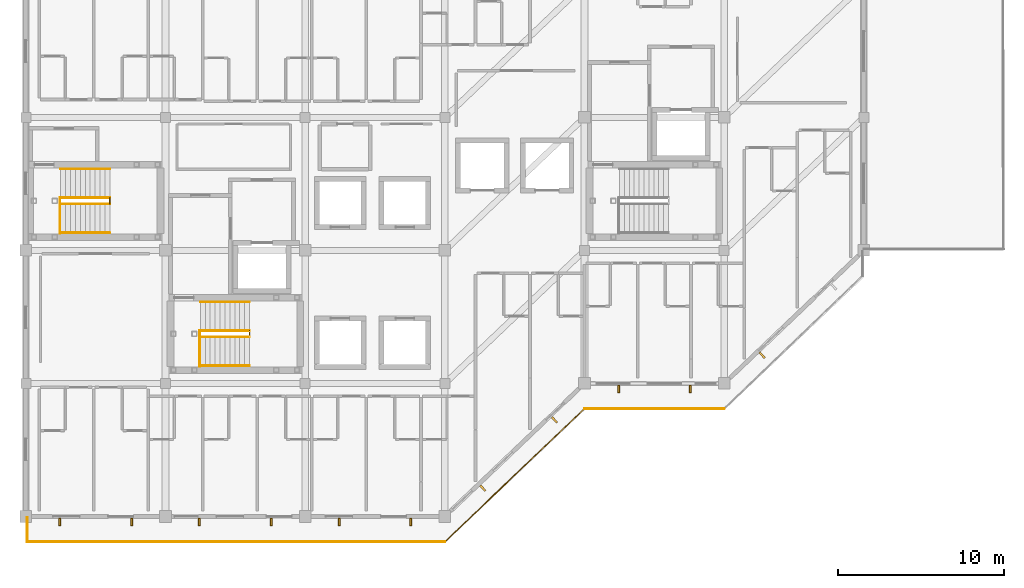
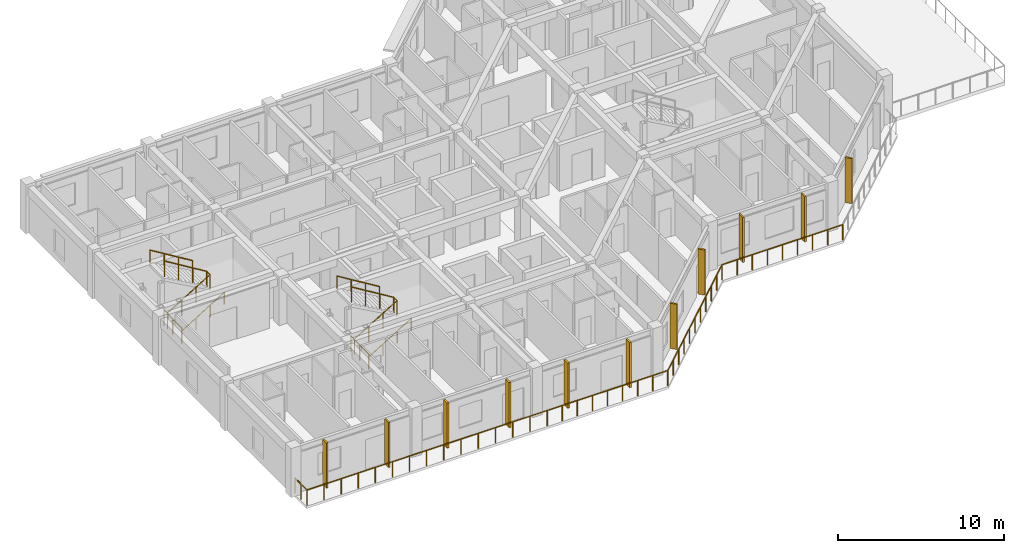
# One storey, part 13 of 15: 18 railings, 11 shading devices.
"""IFC4 building model written with IfcOpenShell, lengths in metres."""

from ifc_helpers import new_model, si_unit, direction, frame, origin, origin_2d, place, context, subcontext, project, spatial, rectangle, circle, extrude, material, layer, layer_set, type_object, element, save


model = new_model("IFC4")

# Units and contexts
model_context = context("Model", 3, precision=1e-05, world=origin(), true_north=direction((0.0, 1.0)))
body_context = subcontext(model_context, "Body", "Model", "MODEL_VIEW")
ifc_project = project(units=[si_unit("LENGTHUNIT", "METRE"), si_unit("AREAUNIT", "SQUARE_METRE"), si_unit("VOLUMEUNIT", "CUBIC_METRE"), si_unit("PLANEANGLEUNIT", "RADIAN"), si_unit("MASSUNIT", "GRAM", prefix="KILO")], contexts=[model_context])

# Site, building, storey
site_placement = place(None, origin())
site = spatial("IfcSite", under=ifc_project, at=site_placement, CompositionType="ELEMENT")
building_placement = place(site_placement, origin())
building = spatial("IfcBuilding", under=site, at=building_placement, Name="Naruveol Harbour Congress Hotel", CompositionType="ELEMENT")
storey_placement = place(building_placement, frame((0.0, 0.0, 36.0)))
storey = spatial("IfcBuildingStorey", under=building, at=storey_placement, Name="L08", CompositionType="ELEMENT", Elevation=36.0)

# Railings
ifc_material_1 = material(Name="Tempered Laminated Safety Glass & Stainless Steel", Category="steel")
ifc_layer_1 = layer(ifc_material_1, 0.06005859375)
ifc_layer_set_1 = layer_set([ifc_layer_1], Name="Tempered Laminated Safety Glass & Stainless Steel")
railing_type_1 = type_object("IfcRailingType", Name="LAMINATED GLASS TERRACE BALUSTRADE 1150", PredefinedType="BALUSTRADE", material=ifc_layer_set_1)
railing_1_placement = place(storey_placement, frame((117.679931640625, -0.06005859375, 0.0)))
element("IfcRailing", 1, at=railing_1_placement, inside=storey, type_object=railing_type_1, Name="L08 Harbour balcony balustrade #109", PredefinedType="BALUSTRADE", context=body_context, shape_type="SweptSolid", body=[
    extrude(circle(Radius=0.02392578125, at=origin_2d()), frame((0.0, 0.0, 1.1259765625), z_axis=(0.0, -1.0, 0.0), x_axis=(1.0, 0.0, 0.0)), (0.0, 0.0, 1.0), 1.4599609375),
    extrude(circle(Radius=0.02099609375, at=origin_2d()), origin(), (0.0, 0.0, 1.0), 1.101806640625),
    extrude(circle(Radius=0.02099609375, at=origin_2d()), frame((0.0, -0.72998046875, 0.0)), (0.0, 0.0, 1.0), 1.101806640625),
    extrude(circle(Radius=0.02099609375, at=origin_2d()), frame((0.0, -1.4599609375, 0.0)), (0.0, 0.0, 1.0), 1.101806640625),
])
railing_2_placement = place(storey_placement, frame((117.679931640625, -1.52001953125, 0.0)))
element("IfcRailing", 2, at=railing_2_placement, inside=storey, type_object=railing_type_1, Name="L08 Harbour balcony balustrade #110", PredefinedType="BALUSTRADE", context=body_context, shape_type="SweptSolid", body=[
    extrude(circle(Radius=0.02392578125, at=origin_2d()), frame((0.0, 0.0, 1.1259765625), z_axis=(1.0, 0.0, 0.0), x_axis=(0.0, 1.0, 0.0)), (0.0, 0.0, 1.0), 8.320068359375),
    extrude(circle(Radius=0.02099609375, at=origin_2d()), origin(), (0.0, 0.0, 1.0), 1.101806640625),
    extrude(circle(Radius=0.02099609375, at=origin_2d()), frame((1.1884765625, 0.0, 0.0)), (0.0, 0.0, 1.0), 1.101806640625),
    extrude(circle(Radius=0.02099609375, at=origin_2d()), frame((2.377197265625, 0.0, 0.0)), (0.0, 0.0, 1.0), 1.101806640625),
    extrude(circle(Radius=0.02099609375, at=origin_2d()), frame((3.565673828125, 0.0, 0.0)), (0.0, 0.0, 1.0), 1.101806640625),
    extrude(circle(Radius=0.02099609375, at=origin_2d()), frame((4.75439453125, 0.0, 0.0)), (0.0, 0.0, 1.0), 1.101806640625),
    extrude(circle(Radius=0.02099609375, at=origin_2d()), frame((5.94287109375, 0.0, 0.0)), (0.0, 0.0, 1.0), 1.101806640625),
    extrude(circle(Radius=0.02099609375, at=origin_2d()), frame((7.131591796875, 0.0, 0.0)), (0.0, 0.0, 1.0), 1.101806640625),
    extrude(circle(Radius=0.02099609375, at=origin_2d()), frame((8.320068359375, 0.0, 0.0)), (0.0, 0.0, 1.0), 1.101806640625),
])
railing_3_placement = place(storey_placement, frame((126.0, -1.52001953125, 0.0)))
element("IfcRailing", 3, at=railing_3_placement, inside=storey, type_object=railing_type_1, Name="L08 Harbour balcony balustrade #111", PredefinedType="BALUSTRADE", context=body_context, shape_type="SweptSolid", body=[
    extrude(circle(Radius=0.02392578125, at=origin_2d()), frame((0.0, 0.0, 1.1259765625), z_axis=(1.0, 0.0, 0.0), x_axis=(0.0, 1.0, 0.0)), (0.0, 0.0, 1.0), 8.39990234375),
    extrude(circle(Radius=0.02099609375, at=origin_2d()), origin(), (0.0, 0.0, 1.0), 1.101806640625),
    extrude(circle(Radius=0.02099609375, at=origin_2d()), frame((1.199951171875, 0.0, 0.0)), (0.0, 0.0, 1.0), 1.101806640625),
    extrude(circle(Radius=0.02099609375, at=origin_2d()), frame((2.39990234375, 0.0, 0.0)), (0.0, 0.0, 1.0), 1.101806640625),
    extrude(circle(Radius=0.02099609375, at=origin_2d()), frame((3.599853515625, 0.0, 0.0)), (0.0, 0.0, 1.0), 1.101806640625),
    extrude(circle(Radius=0.02099609375, at=origin_2d()), frame((4.800048828125, 0.0, 0.0)), (0.0, 0.0, 1.0), 1.101806640625),
    extrude(circle(Radius=0.02099609375, at=origin_2d()), frame((6.0, 0.0, 0.0)), (0.0, 0.0, 1.0), 1.101806640625),
    extrude(circle(Radius=0.02099609375, at=origin_2d()), frame((7.199951171875, 0.0, 0.0)), (0.0, 0.0, 1.0), 1.101806640625),
    extrude(circle(Radius=0.02099609375, at=origin_2d()), frame((8.39990234375, 0.0, 0.0)), (0.0, 0.0, 1.0), 1.101806640625),
])
railing_4_placement = place(storey_placement, frame((134.39990234375, -1.52001953125, 0.0)))
element("IfcRailing", 4, at=railing_4_placement, inside=storey, type_object=railing_type_1, Name="L08 Harbour balcony balustrade #112", PredefinedType="BALUSTRADE", context=body_context, shape_type="SweptSolid", body=[
    extrude(circle(Radius=0.02392578125, at=origin_2d()), frame((0.0, 0.0, 1.1259765625), z_axis=(1.0, 0.0, 0.0), x_axis=(0.0, 1.0, 0.0)), (0.0, 0.0, 1.0), 8.400146484375),
    extrude(circle(Radius=0.02099609375, at=origin_2d()), origin(), (0.0, 0.0, 1.0), 1.101806640625),
    extrude(circle(Radius=0.02099609375, at=origin_2d()), frame((1.050048828125, 0.0, 0.0)), (0.0, 0.0, 1.0), 1.101806640625),
    extrude(circle(Radius=0.02099609375, at=origin_2d()), frame((2.10009765625, 0.0, 0.0)), (0.0, 0.0, 1.0), 1.101806640625),
    extrude(circle(Radius=0.02099609375, at=origin_2d()), frame((3.150146484375, 0.0, 0.0)), (0.0, 0.0, 1.0), 1.101806640625),
    extrude(circle(Radius=0.02099609375, at=origin_2d()), frame((4.2001953125, 0.0, 0.0)), (0.0, 0.0, 1.0), 1.101806640625),
    extrude(circle(Radius=0.02099609375, at=origin_2d()), frame((5.25, 0.0, 0.0)), (0.0, 0.0, 1.0), 1.101806640625),
    extrude(circle(Radius=0.02099609375, at=origin_2d()), frame((6.300048828125, 0.0, 0.0)), (0.0, 0.0, 1.0), 1.101806640625),
    extrude(circle(Radius=0.02099609375, at=origin_2d()), frame((7.35009765625, 0.0, 0.0)), (0.0, 0.0, 1.0), 1.101806640625),
    extrude(circle(Radius=0.02099609375, at=origin_2d()), frame((8.400146484375, 0.0, 0.0)), (0.0, 0.0, 1.0), 1.101806640625),
])
railing_5_placement = place(storey_placement, frame((142.800048828125, -1.52001953125, 0.0)))
element("IfcRailing", 5, at=railing_5_placement, inside=storey, type_object=railing_type_1, Name="L08 Harbour balcony balustrade #113", PredefinedType="BALUSTRADE", context=body_context, shape_type="SweptSolid", body=[
    extrude(circle(Radius=0.02392578125, at=origin_2d()), frame((0.0, 0.0, 1.1259765625), z_axis=(0.724133926887, 0.689659376744, 0.0), x_axis=(-0.689659376744, 0.724133926887, 0.0)), (0.0, 0.0, 1.0), 11.599853515625),
    extrude(circle(Radius=0.02099609375, at=origin_2d()), origin(), (0.0, 0.0, 1.0), 1.101806640625),
    extrude(circle(Radius=0.02099609375, at=origin_2d()), frame((0.840087890625, 0.800048828125, 0.0)), (0.0, 0.0, 1.0), 1.101806640625),
    extrude(circle(Radius=0.02099609375, at=origin_2d()), frame((1.679931640625, 1.60009765625, 0.0)), (0.0, 0.0, 1.0), 1.101806640625),
    extrude(circle(Radius=0.02099609375, at=origin_2d()), frame((2.52001953125, 2.39990234375, 0.0)), (0.0, 0.0, 1.0), 1.101806640625),
    extrude(circle(Radius=0.02099609375, at=origin_2d()), frame((3.35986328125, 3.199951171875, 0.0)), (0.0, 0.0, 1.0), 1.101806640625),
    extrude(circle(Radius=0.02099609375, at=origin_2d()), frame((4.199951171875, 4.0, 0.0)), (0.0, 0.0, 1.0), 1.101806640625),
    extrude(circle(Radius=0.02099609375, at=origin_2d()), frame((5.0400390625, 4.800048828125, 0.0)), (0.0, 0.0, 1.0), 1.101806640625),
    extrude(circle(Radius=0.02099609375, at=origin_2d()), frame((5.8798828125, 5.60009765625, 0.0)), (0.0, 0.0, 1.0), 1.101806640625),
    extrude(circle(Radius=0.02099609375, at=origin_2d()), frame((6.719970703125, 6.39990234375, 0.0)), (0.0, 0.0, 1.0), 1.101806640625),
    extrude(circle(Radius=0.02099609375, at=origin_2d()), frame((7.559814453125, 7.199951171875, 0.0)), (0.0, 0.0, 1.0), 1.101806640625),
    extrude(circle(Radius=0.02099609375, at=origin_2d()), frame((8.39990234375, 8.0, 0.0)), (0.0, 0.0, 1.0), 1.101806640625),
])
railing_6_placement = place(storey_placement, frame((151.199951171875, 6.47998046875, 0.0)))
element("IfcRailing", 6, at=railing_6_placement, inside=storey, type_object=railing_type_1, Name="L08 Harbour balcony balustrade #114", PredefinedType="BALUSTRADE", context=body_context, shape_type="SweptSolid", body=[
    extrude(circle(Radius=0.02392578125, at=origin_2d()), frame((0.0, 0.0, 1.1259765625), z_axis=(1.0, 0.0, 0.0), x_axis=(0.0, 1.0, 0.0)), (0.0, 0.0, 1.0), 8.400146484375),
    extrude(circle(Radius=0.02099609375, at=origin_2d()), origin(), (0.0, 0.0, 1.0), 1.101806640625),
    extrude(circle(Radius=0.02099609375, at=origin_2d()), frame((1.050048828125, 0.0, 0.0)), (0.0, 0.0, 1.0), 1.101806640625),
    extrude(circle(Radius=0.02099609375, at=origin_2d()), frame((2.10009765625, 0.0, 0.0)), (0.0, 0.0, 1.0), 1.101806640625),
    extrude(circle(Radius=0.02099609375, at=origin_2d()), frame((3.150146484375, 0.0, 0.0)), (0.0, 0.0, 1.0), 1.101806640625),
    extrude(circle(Radius=0.02099609375, at=origin_2d()), frame((4.2001953125, 0.0, 0.0)), (0.0, 0.0, 1.0), 1.101806640625),
    extrude(circle(Radius=0.02099609375, at=origin_2d()), frame((5.25, 0.0, 0.0)), (0.0, 0.0, 1.0), 1.101806640625),
    extrude(circle(Radius=0.02099609375, at=origin_2d()), frame((6.300048828125, 0.0, 0.0)), (0.0, 0.0, 1.0), 1.101806640625),
    extrude(circle(Radius=0.02099609375, at=origin_2d()), frame((7.35009765625, 0.0, 0.0)), (0.0, 0.0, 1.0), 1.101806640625),
    extrude(circle(Radius=0.02099609375, at=origin_2d()), frame((8.400146484375, 0.0, 0.0)), (0.0, 0.0, 1.0), 1.101806640625),
])

# Shading devices
ifc_material_2 = material(Name="Precast concrete C40/50", Category="concrete")
shading_device_type = type_object("IfcShadingDeviceType", Name="PRECAST VERTICAL BRISE SOLEIL FIN 120X450", PredefinedType="JALOUSIE", material=ifc_material_2)
for number, where, z_axis, x_axis, name in (
    (7, (123.9560546875, -0.340087890625, 0.0), (0.0, 0.0, 1.0), (-1.0, 0.0, 0.0), "Precast brise-soleil fin BS-V450 #76"),
    (8, (119.64404296875, -0.340087890625, 0.0), (0.0, 0.0, 1.0), (-1.0, 0.0, 0.0), "Precast brise-soleil fin BS-V450 #77"),
    (9, (132.35595703125, -0.340087890625, 0.0), (0.0, 0.0, 1.0), (-1.0, 0.0, 0.0), "Precast brise-soleil fin BS-V450 #79"),
    (10, (128.0439453125, -0.340087890625, 0.0), (0.0, 0.0, 1.0), (-1.0, 0.0, 0.0), "Precast brise-soleil fin BS-V450 #80"),
    (11, (140.756103515625, -0.340087890625, 0.0), (0.0, 0.0, 1.0), (-1.0, 0.0, 0.0), "Precast brise-soleil fin BS-V450 #82"),
    (12, (136.444091796875, -0.340087890625, 0.0), (0.0, 0.0, 1.0), (-1.0, 0.0, 0.0), "Precast brise-soleil fin BS-V450 #83"),
    (13, (149.389892578125, 5.806884765625, 0.0), (0.0, 0.0, 1.0), (-0.724171861437, -0.689619543736, 0.0), "Precast brise-soleil fin BS-V450 #85"),
    (14, (145.077880859375, 1.700927734375, 0.0), (0.0, 0.0, 1.0), (-0.724171861437, -0.689619543736, 0.0), "Precast brise-soleil fin BS-V450 #86"),
    (15, (157.555908203125, 7.659912109375, 0.0), (0.0, 0.0, 1.0), (-1.0, 0.0, 0.0), "Precast brise-soleil fin BS-V450 #88"),
    (16, (153.243896484375, 7.659912109375, 0.0), (0.0, 0.0, 1.0), (-1.0, 0.0, 0.0), "Precast brise-soleil fin BS-V450 #89"),
    (17, (161.8779296875, 9.700927734375, 0.0), (0.0, 0.0, 1.0), (-0.724171861437, -0.689619543736, 0.0), "Precast brise-soleil fin BS-V450 #92"),
):
    element("IfcShadingDevice", number, at=place(storey_placement, frame(where, z_axis=z_axis, x_axis=x_axis)), inside=storey, type_object=shading_device_type, Name=name, PredefinedType="JALOUSIE", context=body_context, shape_type="SweptSolid", body=[
        extrude(rectangle(XDim=0.1201171875, YDim=0.449951171875, at=origin_2d()), origin(), (0.0, 0.0, 1.0), 3.320068359375),
    ])

# Railings
ifc_material_3 = material(Name="Stainless Steel 304", Category="steel")
ifc_layer_2 = layer(ifc_material_3, 0.0419921875)
ifc_layer_set_2 = layer_set([ifc_layer_2], Name="Stainless Steel 304")
railing_type_2 = type_object("IfcRailingType", Name="STAIR WALL MOUNTED HANDRAIL 900", PredefinedType="HANDRAIL", material=ifc_layer_set_2)
railing_7_placement = place(storey_placement, frame((128.10009765625, 9.06005859375, 0.0)))
element("IfcRailing", 18, at=railing_7_placement, inside=storey, type_object=railing_type_2, Name="Stair ST1 L08 lower wall handrail", PredefinedType="HANDRAIL", context=body_context, shape_type="SweptSolid", body=[
    extrude(circle(Radius=0.02392578125, at=origin_2d()), frame((0.0, 0.0, 0.8759765625), z_axis=(0.85362916449, 0.0, 0.520881224016), x_axis=(0.0, 1.0, 0.0)), (0.0, 0.0, 1.0), 3.455810546875),
    extrude(circle(Radius=0.02099609375, at=origin_2d()), origin(), (0.0, 0.0, 1.0), 0.851806640625),
    extrude(circle(Radius=0.02099609375, at=origin_2d()), frame((0.9833984375, 0.0, 0.60009765625)), (0.0, 0.0, 1.0), 0.851806640625),
    extrude(circle(Radius=0.02099609375, at=origin_2d()), frame((1.966552734375, 0.0, 1.199951171875)), (0.0, 0.0, 1.0), 0.851806640625),
    extrude(circle(Radius=0.02099609375, at=origin_2d()), frame((2.949951171875, 0.0, 1.800048828125)), (0.0, 0.0, 1.0), 0.851806640625),
])
railing_8_placement = place(storey_placement, frame((131.050048828125, 12.89990234375, 1.800048828125)))
element("IfcRailing", 19, at=railing_8_placement, inside=storey, type_object=railing_type_2, Name="Stair ST1 L08 upper wall handrail", PredefinedType="HANDRAIL", context=body_context, shape_type="SweptSolid", body=[
    extrude(circle(Radius=0.02392578125, at=origin_2d()), frame((0.0, 0.0, 0.8759765625), z_axis=(-0.85362916449, 0.0, 0.520881224016), x_axis=(0.0, -1.0, 0.0)), (0.0, 0.0, 1.0), 3.455810546875),
    extrude(circle(Radius=0.02099609375, at=origin_2d()), origin(), (0.0, 0.0, 1.0), 0.851806640625),
    extrude(circle(Radius=0.02099609375, at=origin_2d()), frame((-0.9833984375, 0.0, 0.60009765625)), (0.0, 0.0, 1.0), 0.851806640625),
    extrude(circle(Radius=0.02099609375, at=origin_2d()), frame((-1.966552734375, 0.0, 1.199951171875)), (0.0, 0.0, 1.0), 0.851806640625),
    extrude(circle(Radius=0.02099609375, at=origin_2d()), frame((-2.949951171875, 0.0, 1.800048828125)), (0.0, 0.0, 1.0), 0.851806640625),
])
railing_9_placement = place(storey_placement, frame((119.699951171875, 17.06005859375, 0.0)))
element("IfcRailing", 20, at=railing_9_placement, inside=storey, type_object=railing_type_2, Name="Stair ST3 L08 lower wall handrail", PredefinedType="HANDRAIL", context=body_context, shape_type="SweptSolid", body=[
    extrude(circle(Radius=0.02392578125, at=origin_2d()), frame((0.0, 0.0, 0.8759765625), z_axis=(0.85362916449, 0.0, 0.520881224016), x_axis=(0.0, 1.0, 0.0)), (0.0, 0.0, 1.0), 3.455810546875),
    extrude(circle(Radius=0.02099609375, at=origin_2d()), origin(), (0.0, 0.0, 1.0), 0.851806640625),
    extrude(circle(Radius=0.02099609375, at=origin_2d()), frame((0.9833984375, 0.0, 0.60009765625)), (0.0, 0.0, 1.0), 0.851806640625),
    extrude(circle(Radius=0.02099609375, at=origin_2d()), frame((1.966552734375, 0.0, 1.199951171875)), (0.0, 0.0, 1.0), 0.851806640625),
    extrude(circle(Radius=0.02099609375, at=origin_2d()), frame((2.949951171875, 0.0, 1.800048828125)), (0.0, 0.0, 1.0), 0.851806640625),
])
railing_10_placement = place(storey_placement, frame((122.64990234375, 20.89990234375, 1.800048828125)))
element("IfcRailing", 21, at=railing_10_placement, inside=storey, type_object=railing_type_2, Name="Stair ST3 L08 upper wall handrail", PredefinedType="HANDRAIL", context=body_context, shape_type="SweptSolid", body=[
    extrude(circle(Radius=0.02392578125, at=origin_2d()), frame((0.0, 0.0, 0.8759765625), z_axis=(-0.85362916449, 0.0, 0.520881224016), x_axis=(0.0, -1.0, 0.0)), (0.0, 0.0, 1.0), 3.455810546875),
    extrude(circle(Radius=0.02099609375, at=origin_2d()), origin(), (0.0, 0.0, 1.0), 0.851806640625),
    extrude(circle(Radius=0.02099609375, at=origin_2d()), frame((-0.9833984375, 0.0, 0.60009765625)), (0.0, 0.0, 1.0), 0.851806640625),
    extrude(circle(Radius=0.02099609375, at=origin_2d()), frame((-1.966552734375, 0.0, 1.199951171875)), (0.0, 0.0, 1.0), 0.851806640625),
    extrude(circle(Radius=0.02099609375, at=origin_2d()), frame((-2.949951171875, 0.0, 1.800048828125)), (0.0, 0.0, 1.0), 0.851806640625),
])
ifc_material_4 = material(Name="Steel SN490", Category="steel")
ifc_layer_3 = layer(ifc_material_4, 0.044921875)
ifc_layer_set_3 = layer_set([ifc_layer_3], Name="Steel SN490")
railing_type_3 = type_object("IfcRailingType", Name="STAIRWELL STEEL GUARDRAIL 1150", PredefinedType="GUARDRAIL", material=ifc_layer_set_3)
railing_11_placement = place(storey_placement, frame((128.10009765625, 10.7900390625, 0.0)))
element("IfcRailing", 22, at=railing_11_placement, inside=storey, type_object=railing_type_3, Name="Stair ST1 L08 lower well guard", PredefinedType="GUARDRAIL", context=body_context, shape_type="SweptSolid", body=[
    extrude(circle(Radius=0.02392578125, at=origin_2d()), frame((0.0, 0.0, 1.1259765625), z_axis=(0.85362916449, 0.0, 0.520881224016), x_axis=(0.0, 1.0, 0.0)), (0.0, 0.0, 1.0), 3.455810546875),
    extrude(circle(Radius=0.02099609375, at=origin_2d()), origin(), (0.0, 0.0, 1.0), 1.101806640625),
    extrude(circle(Radius=0.02099609375, at=origin_2d()), frame((0.9833984375, 0.0, 0.60009765625)), (0.0, 0.0, 1.0), 1.101806640625),
    extrude(circle(Radius=0.02099609375, at=origin_2d()), frame((1.966552734375, 0.0, 1.199951171875)), (0.0, 0.0, 1.0), 1.101806640625),
    extrude(circle(Radius=0.02099609375, at=origin_2d()), frame((2.949951171875, 0.0, 1.800048828125)), (0.0, 0.0, 1.0), 1.101806640625),
])
railing_12_placement = place(storey_placement, frame((131.050048828125, 10.7900390625, 1.800048828125)))
element("IfcRailing", 23, at=railing_12_placement, inside=storey, type_object=railing_type_3, Name="Stair ST1 L08 half-landing slot guard", PredefinedType="GUARDRAIL", context=body_context, shape_type="SweptSolid", body=[
    extrude(circle(Radius=0.02392578125, at=origin_2d()), frame((0.0, 0.0, 1.1259765625), z_axis=(0.0, 1.0, 0.0), x_axis=(-1.0, 0.0, 0.0)), (0.0, 0.0, 1.0), 0.3798828125),
    extrude(circle(Radius=0.02099609375, at=origin_2d()), origin(), (0.0, 0.0, 1.0), 1.101806640625),
    extrude(circle(Radius=0.02099609375, at=origin_2d()), frame((0.0, 0.3798828125, 0.0)), (0.0, 0.0, 1.0), 1.101806640625),
])
railing_13_placement = place(storey_placement, frame((131.050048828125, 11.169921875, 1.800048828125)))
element("IfcRailing", 24, at=railing_13_placement, inside=storey, type_object=railing_type_3, Name="Stair ST1 L08 upper well guard", PredefinedType="GUARDRAIL", context=body_context, shape_type="SweptSolid", body=[
    extrude(circle(Radius=0.02392578125, at=origin_2d()), frame((0.0, 0.0, 1.1259765625), z_axis=(-0.85362916449, 0.0, 0.520881224016), x_axis=(0.0, -1.0, 0.0)), (0.0, 0.0, 1.0), 3.455810546875),
    extrude(circle(Radius=0.02099609375, at=origin_2d()), origin(), (0.0, 0.0, 1.0), 1.101806640625),
    extrude(circle(Radius=0.02099609375, at=origin_2d()), frame((-0.9833984375, 0.0, 0.60009765625)), (0.0, 0.0, 1.0), 1.101806640625),
    extrude(circle(Radius=0.02099609375, at=origin_2d()), frame((-1.966552734375, 0.0, 1.199951171875)), (0.0, 0.0, 1.0), 1.101806640625),
    extrude(circle(Radius=0.02099609375, at=origin_2d()), frame((-2.949951171875, 0.0, 1.800048828125)), (0.0, 0.0, 1.0), 1.101806640625),
])
railing_14_placement = place(storey_placement, frame((128.06005859375, 9.02001953125, 0.0)))
element("IfcRailing", 25, at=railing_14_placement, inside=storey, type_object=railing_type_3, Name="Stair ST1 L08 landing well guard", PredefinedType="GUARDRAIL", context=body_context, shape_type="SweptSolid", body=[
    extrude(circle(Radius=0.02392578125, at=origin_2d()), frame((0.0, 0.0, 1.1259765625), z_axis=(0.0, 1.0, 0.0), x_axis=(-1.0, 0.0, 0.0)), (0.0, 0.0, 1.0), 2.14990234375),
    extrude(circle(Radius=0.02099609375, at=origin_2d()), origin(), (0.0, 0.0, 1.0), 1.101806640625),
    extrude(circle(Radius=0.02099609375, at=origin_2d()), frame((0.0, 1.074951171875, 0.0)), (0.0, 0.0, 1.0), 1.101806640625),
    extrude(circle(Radius=0.02099609375, at=origin_2d()), frame((0.0, 2.14990234375, 0.0)), (0.0, 0.0, 1.0), 1.101806640625),
])
railing_15_placement = place(storey_placement, frame((119.699951171875, 18.7900390625, 0.0)))
element("IfcRailing", 26, at=railing_15_placement, inside=storey, type_object=railing_type_3, Name="Stair ST3 L08 lower well guard", PredefinedType="GUARDRAIL", context=body_context, shape_type="SweptSolid", body=[
    extrude(circle(Radius=0.02392578125, at=origin_2d()), frame((0.0, 0.0, 1.1259765625), z_axis=(0.85362916449, 0.0, 0.520881224016), x_axis=(0.0, 1.0, 0.0)), (0.0, 0.0, 1.0), 3.455810546875),
    extrude(circle(Radius=0.02099609375, at=origin_2d()), origin(), (0.0, 0.0, 1.0), 1.101806640625),
    extrude(circle(Radius=0.02099609375, at=origin_2d()), frame((0.9833984375, 0.0, 0.60009765625)), (0.0, 0.0, 1.0), 1.101806640625),
    extrude(circle(Radius=0.02099609375, at=origin_2d()), frame((1.966552734375, 0.0, 1.199951171875)), (0.0, 0.0, 1.0), 1.101806640625),
    extrude(circle(Radius=0.02099609375, at=origin_2d()), frame((2.949951171875, 0.0, 1.800048828125)), (0.0, 0.0, 1.0), 1.101806640625),
])
railing_16_placement = place(storey_placement, frame((122.64990234375, 18.7900390625, 1.800048828125)))
element("IfcRailing", 27, at=railing_16_placement, inside=storey, type_object=railing_type_3, Name="Stair ST3 L08 half-landing slot guard", PredefinedType="GUARDRAIL", context=body_context, shape_type="SweptSolid", body=[
    extrude(circle(Radius=0.02392578125, at=origin_2d()), frame((0.0, 0.0, 1.1259765625), z_axis=(0.0, 1.0, 0.0), x_axis=(-1.0, 0.0, 0.0)), (0.0, 0.0, 1.0), 0.3798828125),
    extrude(circle(Radius=0.02099609375, at=origin_2d()), origin(), (0.0, 0.0, 1.0), 1.101806640625),
    extrude(circle(Radius=0.02099609375, at=origin_2d()), frame((0.0, 0.3798828125, 0.0)), (0.0, 0.0, 1.0), 1.101806640625),
])
railing_17_placement = place(storey_placement, frame((122.64990234375, 19.169921875, 1.800048828125)))
element("IfcRailing", 28, at=railing_17_placement, inside=storey, type_object=railing_type_3, Name="Stair ST3 L08 upper well guard", PredefinedType="GUARDRAIL", context=body_context, shape_type="SweptSolid", body=[
    extrude(circle(Radius=0.02392578125, at=origin_2d()), frame((0.0, 0.0, 1.1259765625), z_axis=(-0.85362916449, 0.0, 0.520881224016), x_axis=(0.0, -1.0, 0.0)), (0.0, 0.0, 1.0), 3.455810546875),
    extrude(circle(Radius=0.02099609375, at=origin_2d()), origin(), (0.0, 0.0, 1.0), 1.101806640625),
    extrude(circle(Radius=0.02099609375, at=origin_2d()), frame((-0.9833984375, 0.0, 0.60009765625)), (0.0, 0.0, 1.0), 1.101806640625),
    extrude(circle(Radius=0.02099609375, at=origin_2d()), frame((-1.966552734375, 0.0, 1.199951171875)), (0.0, 0.0, 1.0), 1.101806640625),
    extrude(circle(Radius=0.02099609375, at=origin_2d()), frame((-2.949951171875, 0.0, 1.800048828125)), (0.0, 0.0, 1.0), 1.101806640625),
])
railing_18_placement = place(storey_placement, frame((119.659912109375, 17.02001953125, 0.0)))
element("IfcRailing", 29, at=railing_18_placement, inside=storey, type_object=railing_type_3, Name="Stair ST3 L08 landing well guard", PredefinedType="GUARDRAIL", context=body_context, shape_type="SweptSolid", body=[
    extrude(circle(Radius=0.02392578125, at=origin_2d()), frame((0.0, 0.0, 1.1259765625), z_axis=(0.0, 1.0, 0.0), x_axis=(-1.0, 0.0, 0.0)), (0.0, 0.0, 1.0), 2.14990234375),
    extrude(circle(Radius=0.02099609375, at=origin_2d()), origin(), (0.0, 0.0, 1.0), 1.101806640625),
    extrude(circle(Radius=0.02099609375, at=origin_2d()), frame((0.0, 1.074951171875, 0.0)), (0.0, 0.0, 1.0), 1.101806640625),
    extrude(circle(Radius=0.02099609375, at=origin_2d()), frame((0.0, 2.14990234375, 0.0)), (0.0, 0.0, 1.0), 1.101806640625),
])

save(model, "model.ifc")
